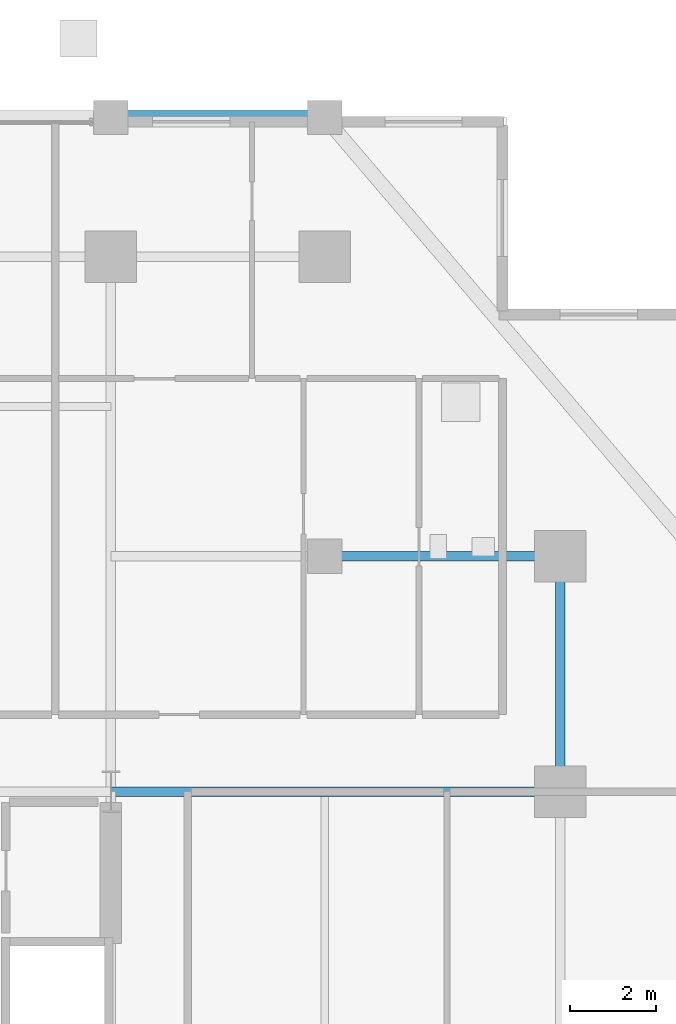
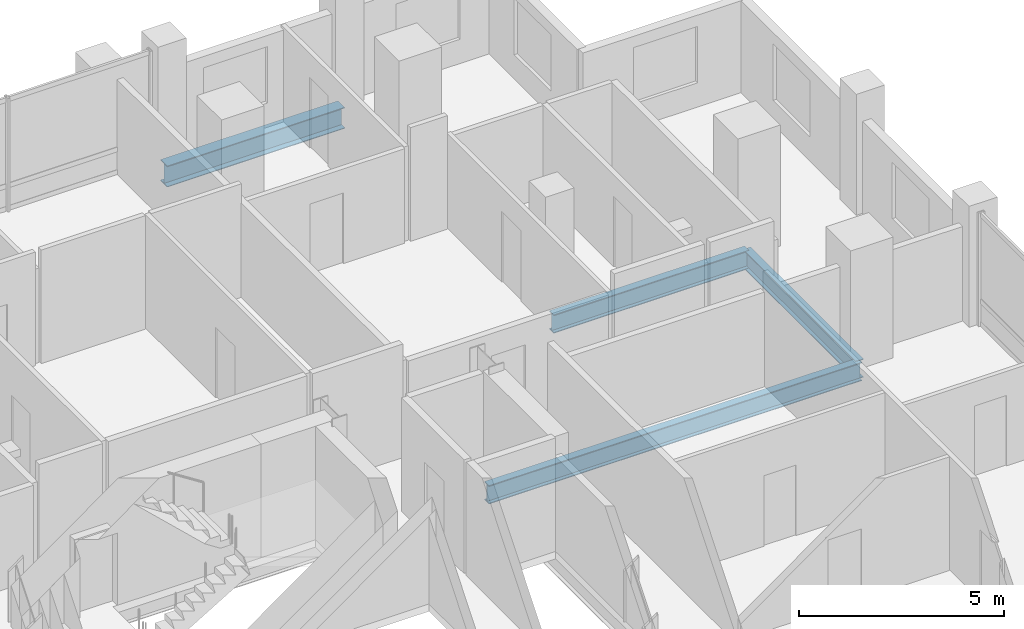
# One storey, part 11 of 19: 4 beams.
"""IFC4 building model written with IfcOpenShell, lengths in metres."""

from ifc_helpers import new_model, si_unit, direction, frame, origin, origin_2d, place, context, subcontext, project, spatial, i_section, extrude, material, material_profile, profile_set, type_object, element, save


model = new_model("IFC4")

# Units and contexts
model_context = context("Model", 3, precision=1e-05, world=origin(), true_north=direction((0.0, 1.0)))
body_context = subcontext(model_context, "Body", "Model", "MODEL_VIEW")
ifc_project = project(units=[si_unit("LENGTHUNIT", "METRE"), si_unit("AREAUNIT", "SQUARE_METRE"), si_unit("VOLUMEUNIT", "CUBIC_METRE"), si_unit("PLANEANGLEUNIT", "RADIAN"), si_unit("MASSUNIT", "GRAM", prefix="KILO")], contexts=[model_context])

# Site, building, storey
site_placement = place(None, origin())
site = spatial("IfcSite", under=ifc_project, at=site_placement, CompositionType="ELEMENT")
building_placement = place(site_placement, origin())
building = spatial("IfcBuilding", under=site, at=building_placement, Name="Barlavira Tower and Art Museum", CompositionType="ELEMENT")
storey_placement = place(building_placement, frame((0.0, 0.0, 113.39990234375)))
storey = spatial("IfcBuildingStorey", under=building, at=storey_placement, Name="L28", CompositionType="ELEMENT", Elevation=113.39990234375)

# Beams
ifc_material = material(Name="Steel S355", Category="steel")
ifc_material_profile_1 = material_profile(ifc_material, i_section(OverallWidth=0.327880859375, OverallDepth=0.62890625, WebThickness=0.013916015625, FlangeThickness=0.021484375, at=origin_2d()), Name="W610x174.0")
ifc_profile_set_1 = profile_set([ifc_material_profile_1], Name="Steel S355")
beam_type_1 = type_object("IfcBeamType", Name="Perimeter Spandrel Edge Beam W610x174 Steel S355", PredefinedType="SPANDREL", material=ifc_profile_set_1)
beam_1_placement = place(storey_placement, frame((6.5, 23.25, -0.534423828125), z_axis=(1.0, 0.0, 0.0), x_axis=(0.0, 1.0, 0.0)))
element("IfcBeam", 1, at=beam_1_placement, inside=storey, type_object=beam_type_1, Name="L28 Spandrel 9", PredefinedType="SPANDREL", context=body_context, shape_type="SweptSolid", body=[
    extrude(i_section(OverallWidth=0.327880859375, OverallDepth=0.62890625, WebThickness=0.013916015625, FlangeThickness=0.021484375, at=origin_2d()), origin(), (0.0, 0.0, 1.0), 5.0),
])
ifc_material_profile_2 = material_profile(ifc_material, i_section(OverallWidth=0.214111328125, OverallDepth=0.549072265625, WebThickness=0.0146484375, FlangeThickness=0.023681640625, at=origin_2d()), Name="W530x138.0")
ifc_profile_set_2 = profile_set([ifc_material_profile_2], Name="Steel S355")
beam_type_2 = type_object("IfcBeamType", Name="Zone 1 Primary Floor Girder W530x138 Steel S355", PredefinedType="BEAM", material=ifc_profile_set_2)
beam_2_placement = place(storey_placement, frame((17.0, 7.5, -0.494384765625), z_axis=(0.0, 1.0, 0.0), x_axis=(-1.0, 0.0, 0.0)))
element("IfcBeam", 2, at=beam_2_placement, inside=storey, type_object=beam_type_2, Name="L28 Girder M-E3", PredefinedType="BEAM", context=body_context, shape_type="SweptSolid", body=[
    extrude(i_section(OverallWidth=0.214111328125, OverallDepth=0.549072265625, WebThickness=0.0146484375, FlangeThickness=0.023681640625, at=origin_2d()), origin(), (0.0, 0.0, 1.0), 5.5),
])
beam_3_placement = place(storey_placement, frame((6.5, 7.5, -0.494384765625), z_axis=(1.0, 0.0, 0.0), x_axis=(0.0, 1.0, 0.0)))
element("IfcBeam", 3, at=beam_3_placement, inside=storey, type_object=beam_type_2, Name="L28 Girder R-E2", PredefinedType="BEAM", context=body_context, shape_type="SweptSolid", body=[
    extrude(i_section(OverallWidth=0.214111328125, OverallDepth=0.549072265625, WebThickness=0.0146484375, FlangeThickness=0.023681640625, at=origin_2d()), origin(), (0.0, 0.0, 1.0), 10.5),
])
beam_4_placement = place(storey_placement, frame((11.5, 13.0, -0.494384765625), z_axis=(1.0, 0.0, 0.0), x_axis=(0.0, 1.0, 0.0)))
element("IfcBeam", 4, at=beam_4_placement, inside=storey, type_object=beam_type_2, Name="L28 Girder I-N4", PredefinedType="BEAM", context=body_context, shape_type="SweptSolid", body=[
    extrude(i_section(OverallWidth=0.214111328125, OverallDepth=0.549072265625, WebThickness=0.0146484375, FlangeThickness=0.023681640625, at=origin_2d()), origin(), (0.0, 0.0, 1.0), 5.5),
])

save(model, "model.ifc")
